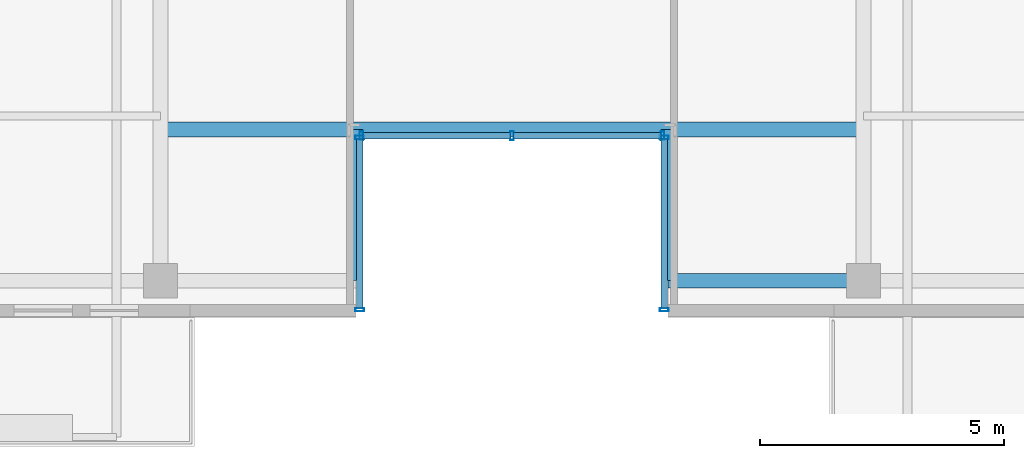
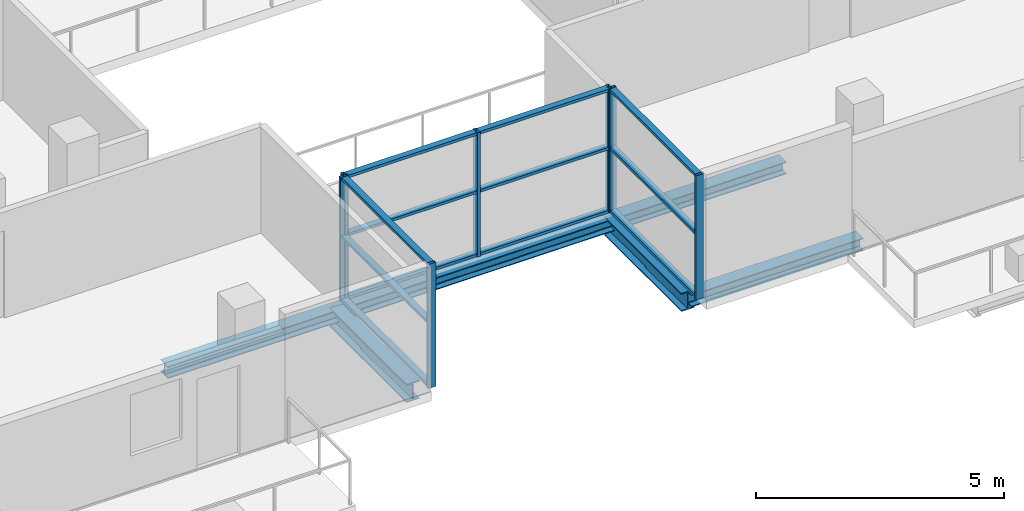
# One storey, part 5 of 22: 19 members, 4 beams, 3 elements without a shape of their own.
"""IFC4 building model written with IfcOpenShell, lengths in metres."""

from ifc_helpers import new_model, si_unit, direction, frame, origin, origin_2d, place, context, subcontext, project, spatial, hollow_rectangle, i_section, extrude, source, transform, mapped, material, layer, layer_set, material_profile, profile_set, type_object, element, aggregate, save


model = new_model("IFC4")

# Units and contexts
model_context = context("Model", 3, precision=1e-05, world=origin(), true_north=direction((0.0, 1.0)))
body_context = subcontext(model_context, "Body", "Model", "MODEL_VIEW")
ifc_project = project(units=[si_unit("LENGTHUNIT", "METRE"), si_unit("AREAUNIT", "SQUARE_METRE"), si_unit("VOLUMEUNIT", "CUBIC_METRE"), si_unit("PLANEANGLEUNIT", "RADIAN"), si_unit("MASSUNIT", "GRAM", prefix="KILO")], contexts=[model_context])

# Site, building, storey
site_placement = place(None, origin())
site = spatial("IfcSite", under=ifc_project, at=site_placement, CompositionType="ELEMENT")
building_placement = place(site_placement, origin())
building = spatial("IfcBuilding", under=site, at=building_placement, Name="Zarnakvel Exchange Tower", CompositionType="ELEMENT")
storey_placement = place(building_placement, frame((0.0, 0.0, 245.199951171875)))
storey = spatial("IfcBuildingStorey", under=building, at=storey_placement, Name="L69", CompositionType="ELEMENT", Elevation=245.199951171875)

# Beams
ifc_material_1 = material(Name="Steel S355", Category="steel")
ifc_material_profile_1 = material_profile(ifc_material_1, i_section(OverallWidth=0.300048828125, OverallDepth=0.449951171875, WebThickness=0.013916015625, FlangeThickness=0.02587890625, FilletRadius=0.027099609375, at=origin_2d()))
ifc_profile_set_1 = profile_set([ifc_material_profile_1], Name="Steel S355")
beam_type_1 = type_object("IfcBeamType", Name="G-07", PredefinedType="BEAM", material=ifc_profile_set_1)
for number, where, z_axis, x_axis, name in (
    (1, (-3.199951171875, -16.35009765625, -0.449951171875), (0.0, 1.0, 0.0), (-1.0, 0.0, 0.0), "L69 South Slot West Cheek Beam"),
    (2, (3.199951171875, -16.35009765625, -0.449951171875), (0.0, 1.0, 0.0), (-1.0, 0.0, 0.0), "L69 South Slot East Cheek Beam"),
):
    element("IfcBeam", number, at=place(storey_placement, frame(where, z_axis=z_axis, x_axis=x_axis)), inside=storey, type_object=beam_type_1, Name=name, PredefinedType="BEAM", context=body_context, shape_type="SweptSolid", body=[
        extrude(i_section(OverallWidth=0.300048828125, OverallDepth=0.449951171875, WebThickness=0.013916015625, FlangeThickness=0.02587890625, FilletRadius=0.027099609375, at=origin_2d()), origin(), (0.0, 0.0, 1.0), 3.10009765625),
    ])
ifc_material_profile_2 = material_profile(ifc_material_1, i_section(OverallWidth=0.300048828125, OverallDepth=0.300048828125, WebThickness=0.010986328125, FlangeThickness=0.01904296875, FilletRadius=0.027099609375, at=origin_2d()))
ifc_profile_set_2 = profile_set([ifc_material_profile_2], Name="Steel S355")
beam_type_2 = type_object("IfcBeamType", Name="SP-03", PredefinedType="SPANDREL", material=ifc_profile_set_2)
beam_1_placement = place(storey_placement, frame((3.199951171875, -16.35009765625, -0.375), z_axis=(1.0, 0.0, 0.0), x_axis=(0.0, 1.0, 0.0)))
element("IfcBeam", 3, at=beam_1_placement, inside=storey, type_object=beam_type_2, Name="L69 South Slot East Jamb Spandrel", PredefinedType="SPANDREL", context=body_context, shape_type="SweptSolid", body=[
    extrude(i_section(OverallWidth=0.300048828125, OverallDepth=0.300048828125, WebThickness=0.010986328125, FlangeThickness=0.01904296875, FilletRadius=0.027099609375, at=origin_2d()), origin(), (0.0, 0.0, 1.0), 4.0),
])
beam_2_placement = place(storey_placement, frame((-7.199951171875, -13.25, -0.375), z_axis=(1.0, 0.0, 0.0), x_axis=(0.0, 1.0, 0.0)))
element("IfcBeam", 4, at=beam_2_placement, inside=storey, type_object=beam_type_2, Name="L69 South Slot Head Trimmer Girder", PredefinedType="SPANDREL", context=body_context, shape_type="SweptSolid", body=[
    extrude(i_section(OverallWidth=0.300048828125, OverallDepth=0.300048828125, WebThickness=0.010986328125, FlangeThickness=0.01904296875, FilletRadius=0.027099609375, at=origin_2d()), origin(), (0.0, 0.0, 1.0), 14.39990234375),
])

# Curtain wall, members
ifc_material_2 = material(Name="Architectural Bronze Anodised Aluminium", Category="aluminium")
ifc_layer = layer(ifc_material_2, 0.179931640625)
ifc_layer_set = layer_set([ifc_layer], Name="Architectural Bronze Anodised Aluminium")
curtain_wall_type = type_object("IfcCurtainWallType", Name="CW-05", PredefinedType="NOTDEFINED", material=ifc_layer_set)
curtain_wall_1_placement = place(storey_placement, origin())
curtain_wall_1 = element("IfcCurtainWall", 5, at=curtain_wall_1_placement, inside=storey, type_object=curtain_wall_type, Name="L69 Curtain Wall CW-L69-SLW (CW-05)", PredefinedType="NOTDEFINED")
ifc_material_profile_3 = material_profile(ifc_material_2, hollow_rectangle(XDim=0.139892578125, YDim=0.070068359375, WallThickness=0.00390625, at=origin_2d()))
ifc_profile_set_3 = profile_set([ifc_material_profile_3], Name="Architectural Bronze Anodised Aluminium")
member_type_1 = type_object("IfcMemberType", Name="CWT-05", PredefinedType="USERDEFINED", material=ifc_profile_set_3)
shared_shape_1 = source(origin(), body_context, "Body", "SweptSolid", [
    extrude(hollow_rectangle(XDim=0.139892578125, YDim=0.070068359375, WallThickness=0.00390625, at=origin_2d()), origin(), (0.0, 0.0, 1.0), 3.4599609375),
])
member_1_placement = place(storey_placement, frame((-3.1201171875, -16.909912109375, 0.03515625), z_axis=(0.0, 1.0, 0.0), x_axis=(-1.0, 0.0, 0.0)))
member_1 = element("IfcMember", 6, at=member_1_placement, type_object=member_type_1, Name="CW-05 transom 1.1", ObjectType="TRANSOM", PredefinedType="USERDEFINED", context=body_context, shape_type="MappedRepresentation", body=[
    mapped(shared_shape_1, transform((0.0, 0.0, 0.0), x_axis=(1.0, 0.0, 0.0), y_axis=(0.0, 1.0, 0.0), z_axis=(0.0, 0.0, 1.0), scale=1.0)),
])
member_2_placement = place(storey_placement, frame((-3.1201171875, -16.909912109375, 1.588623046875), z_axis=(0.0, 1.0, 0.0), x_axis=(-1.0, 0.0, 0.0)))
member_2 = element("IfcMember", 7, at=member_2_placement, type_object=member_type_1, Name="CW-05 transom 1.2", ObjectType="TRANSOM", PredefinedType="USERDEFINED", context=body_context, shape_type="MappedRepresentation", body=[
    mapped(shared_shape_1, transform((0.0, 0.0, 0.0), x_axis=(1.0, 0.0, 0.0), y_axis=(0.0, 1.0, 0.0), z_axis=(0.0, 0.0, 1.0), scale=1.0)),
])
member_3_placement = place(storey_placement, frame((-3.1201171875, -16.909912109375, 3.02001953125), z_axis=(0.0, 1.0, 0.0), x_axis=(-1.0, 0.0, 0.0)))
member_3 = element("IfcMember", 8, at=member_3_placement, type_object=member_type_1, Name="CW-05 transom 1.3", ObjectType="TRANSOM", PredefinedType="USERDEFINED", context=body_context, shape_type="MappedRepresentation", body=[
    mapped(shared_shape_1, transform((0.0, 0.0, 0.0), x_axis=(1.0, 0.0, 0.0), y_axis=(0.0, 1.0, 0.0), z_axis=(0.0, 0.0, 1.0), scale=1.0)),
])

curtain_wall_2_placement = place(storey_placement, origin())
curtain_wall_2 = element("IfcCurtainWall", 9, at=curtain_wall_2_placement, inside=storey, type_object=curtain_wall_type, Name="L69 Curtain Wall CW-L69-SLE (CW-05)", PredefinedType="NOTDEFINED")
member_4_placement = place(storey_placement, frame((3.1201171875, -13.449951171875, 0.03515625), z_axis=(0.0, -1.0, 0.0), x_axis=(1.0, 0.0, 0.0)))
member_4 = element("IfcMember", 10, at=member_4_placement, type_object=member_type_1, Name="CW-05 transom 1.1", ObjectType="TRANSOM", PredefinedType="USERDEFINED", context=body_context, shape_type="MappedRepresentation", body=[
    mapped(shared_shape_1, transform((0.0, 0.0, 0.0), x_axis=(1.0, 0.0, 0.0), y_axis=(0.0, 1.0, 0.0), z_axis=(0.0, 0.0, 1.0), scale=1.0)),
])
member_5_placement = place(storey_placement, frame((3.1201171875, -13.449951171875, 1.588623046875), z_axis=(0.0, -1.0, 0.0), x_axis=(1.0, 0.0, 0.0)))
member_5 = element("IfcMember", 11, at=member_5_placement, type_object=member_type_1, Name="CW-05 transom 1.2", ObjectType="TRANSOM", PredefinedType="USERDEFINED", context=body_context, shape_type="MappedRepresentation", body=[
    mapped(shared_shape_1, transform((0.0, 0.0, 0.0), x_axis=(1.0, 0.0, 0.0), y_axis=(0.0, 1.0, 0.0), z_axis=(0.0, 0.0, 1.0), scale=1.0)),
])
member_6_placement = place(storey_placement, frame((3.1201171875, -13.449951171875, 3.02001953125), z_axis=(0.0, -1.0, 0.0), x_axis=(1.0, 0.0, 0.0)))
member_6 = element("IfcMember", 12, at=member_6_placement, type_object=member_type_1, Name="CW-05 transom 1.3", ObjectType="TRANSOM", PredefinedType="USERDEFINED", context=body_context, shape_type="MappedRepresentation", body=[
    mapped(shared_shape_1, transform((0.0, 0.0, 0.0), x_axis=(1.0, 0.0, 0.0), y_axis=(0.0, 1.0, 0.0), z_axis=(0.0, 0.0, 1.0), scale=1.0)),
])

curtain_wall_3_placement = place(storey_placement, origin())
curtain_wall_3 = element("IfcCurtainWall", 13, at=curtain_wall_3_placement, inside=storey, type_object=curtain_wall_type, Name="L69 Curtain Wall CW-L69-SLB (CW-05)", PredefinedType="NOTDEFINED")
shared_shape_2 = source(origin(), body_context, "Body", "SweptSolid", [
    extrude(hollow_rectangle(XDim=0.139892578125, YDim=0.070068359375, WallThickness=0.00390625, at=origin_2d()), origin(), (0.0, 0.0, 1.0), 3.01513671875),
])
member_7_placement = place(storey_placement, frame((-3.050048828125, -13.3798828125, 0.03515625), z_axis=(1.0, 0.0, 0.0), x_axis=(0.0, 1.0, 0.0)))
member_7 = element("IfcMember", 14, at=member_7_placement, type_object=member_type_1, Name="CW-05 transom 1.1", ObjectType="TRANSOM", PredefinedType="USERDEFINED", context=body_context, shape_type="MappedRepresentation", body=[
    mapped(shared_shape_2, transform((0.0, 0.0, 0.0), x_axis=(1.0, 0.0, 0.0), y_axis=(0.0, 1.0, 0.0), z_axis=(0.0, 0.0, 1.0), scale=1.0)),
])
member_8_placement = place(storey_placement, frame((-3.050048828125, -13.3798828125, 1.588623046875), z_axis=(1.0, 0.0, 0.0), x_axis=(0.0, 1.0, 0.0)))
member_8 = element("IfcMember", 15, at=member_8_placement, type_object=member_type_1, Name="CW-05 transom 1.2", ObjectType="TRANSOM", PredefinedType="USERDEFINED", context=body_context, shape_type="MappedRepresentation", body=[
    mapped(shared_shape_2, transform((0.0, 0.0, 0.0), x_axis=(1.0, 0.0, 0.0), y_axis=(0.0, 1.0, 0.0), z_axis=(0.0, 0.0, 1.0), scale=1.0)),
])
member_9_placement = place(storey_placement, frame((-3.050048828125, -13.3798828125, 3.02001953125), z_axis=(1.0, 0.0, 0.0), x_axis=(0.0, 1.0, 0.0)))
member_9 = element("IfcMember", 16, at=member_9_placement, type_object=member_type_1, Name="CW-05 transom 1.3", ObjectType="TRANSOM", PredefinedType="USERDEFINED", context=body_context, shape_type="MappedRepresentation", body=[
    mapped(shared_shape_2, transform((0.0, 0.0, 0.0), x_axis=(1.0, 0.0, 0.0), y_axis=(0.0, 1.0, 0.0), z_axis=(0.0, 0.0, 1.0), scale=1.0)),
])
member_10_placement = place(storey_placement, frame((0.034912109375, -13.3798828125, 0.03515625), z_axis=(1.0, 0.0, 0.0), x_axis=(0.0, 1.0, 0.0)))
member_10 = element("IfcMember", 17, at=member_10_placement, type_object=member_type_1, Name="CW-05 transom 2.1", ObjectType="TRANSOM", PredefinedType="USERDEFINED", context=body_context, shape_type="MappedRepresentation", body=[
    mapped(shared_shape_2, transform((0.0, 0.0, 0.0), x_axis=(1.0, 0.0, 0.0), y_axis=(0.0, 1.0, 0.0), z_axis=(0.0, 0.0, 1.0), scale=1.0)),
])
member_11_placement = place(storey_placement, frame((0.034912109375, -13.3798828125, 1.588623046875), z_axis=(1.0, 0.0, 0.0), x_axis=(0.0, 1.0, 0.0)))
member_11 = element("IfcMember", 18, at=member_11_placement, type_object=member_type_1, Name="CW-05 transom 2.2", ObjectType="TRANSOM", PredefinedType="USERDEFINED", context=body_context, shape_type="MappedRepresentation", body=[
    mapped(shared_shape_2, transform((0.0, 0.0, 0.0), x_axis=(1.0, 0.0, 0.0), y_axis=(0.0, 1.0, 0.0), z_axis=(0.0, 0.0, 1.0), scale=1.0)),
])
member_12_placement = place(storey_placement, frame((0.034912109375, -13.3798828125, 3.02001953125), z_axis=(1.0, 0.0, 0.0), x_axis=(0.0, 1.0, 0.0)))
member_12 = element("IfcMember", 19, at=member_12_placement, type_object=member_type_1, Name="CW-05 transom 2.3", ObjectType="TRANSOM", PredefinedType="USERDEFINED", context=body_context, shape_type="MappedRepresentation", body=[
    mapped(shared_shape_2, transform((0.0, 0.0, 0.0), x_axis=(1.0, 0.0, 0.0), y_axis=(0.0, 1.0, 0.0), z_axis=(0.0, 0.0, 1.0), scale=1.0)),
])

# Member
ifc_material_profile_4 = material_profile(ifc_material_2, hollow_rectangle(XDim=0.179931640625, YDim=0.070068359375, WallThickness=0.00390625, at=origin_2d()))
ifc_profile_set_4 = profile_set([ifc_material_profile_4], Name="Architectural Bronze Anodised Aluminium")
member_type_2 = type_object("IfcMemberType", Name="CWM-05", PredefinedType="MULLION", material=ifc_profile_set_4)
shared_shape_3 = source(origin(), body_context, "Body", "SweptSolid", [
    extrude(hollow_rectangle(XDim=0.179931640625, YDim=0.070068359375, WallThickness=0.00390625, at=origin_2d()), origin(), (0.0, 0.0, 1.0), 3.054931640625),
])
member_13_placement = place(storey_placement, frame((-3.1201171875, -16.945068359375, 0.0), z_axis=(0.0, 0.0, 1.0), x_axis=(-1.0, 0.0, 0.0)))
member_13 = element("IfcMember", 20, at=member_13_placement, type_object=member_type_2, Name="CW-05 mullion 1", PredefinedType="MULLION", context=body_context, shape_type="MappedRepresentation", body=[
    mapped(shared_shape_3, transform((0.0, 0.0, 0.0), x_axis=(1.0, 0.0, 0.0), y_axis=(0.0, 1.0, 0.0), z_axis=(0.0, 0.0, 1.0), scale=1.0)),
])

member_14_placement = place(storey_placement, frame((-3.1201171875, -13.4150390625, 0.0), z_axis=(0.0, 0.0, 1.0), x_axis=(-1.0, 0.0, 0.0)))
member_14 = element("IfcMember", 21, at=member_14_placement, type_object=member_type_2, Name="CW-05 mullion 2", PredefinedType="MULLION", context=body_context, shape_type="MappedRepresentation", body=[
    mapped(shared_shape_3, transform((0.0, 0.0, 0.0), x_axis=(1.0, 0.0, 0.0), y_axis=(0.0, 1.0, 0.0), z_axis=(0.0, 0.0, 1.0), scale=1.0)),
])

aggregate(curtain_wall_1, [member_13, member_14, member_1, member_2, member_3])

member_15_placement = place(storey_placement, frame((-3.0849609375, -13.3798828125, 0.0), z_axis=(0.0, 0.0, 1.0), x_axis=(0.0, 1.0, 0.0)))
member_15 = element("IfcMember", 22, at=member_15_placement, type_object=member_type_2, Name="CW-05 mullion 1", PredefinedType="MULLION", context=body_context, shape_type="MappedRepresentation", body=[
    mapped(shared_shape_3, transform((0.0, 0.0, 0.0), x_axis=(1.0, 0.0, 0.0), y_axis=(0.0, 1.0, 0.0), z_axis=(0.0, 0.0, 1.0), scale=1.0)),
])

member_16_placement = place(storey_placement, frame((0.0, -13.3798828125, 0.0), z_axis=(0.0, 0.0, 1.0), x_axis=(0.0, 1.0, 0.0)))
member_16 = element("IfcMember", 23, at=member_16_placement, type_object=member_type_2, Name="CW-05 mullion 2", PredefinedType="MULLION", context=body_context, shape_type="MappedRepresentation", body=[
    mapped(shared_shape_3, transform((0.0, 0.0, 0.0), x_axis=(1.0, 0.0, 0.0), y_axis=(0.0, 1.0, 0.0), z_axis=(0.0, 0.0, 1.0), scale=1.0)),
])

member_17_placement = place(storey_placement, frame((3.0849609375, -13.3798828125, 0.0), z_axis=(0.0, 0.0, 1.0), x_axis=(0.0, 1.0, 0.0)))
member_17 = element("IfcMember", 24, at=member_17_placement, type_object=member_type_2, Name="CW-05 mullion 3", PredefinedType="MULLION", context=body_context, shape_type="MappedRepresentation", body=[
    mapped(shared_shape_3, transform((0.0, 0.0, 0.0), x_axis=(1.0, 0.0, 0.0), y_axis=(0.0, 1.0, 0.0), z_axis=(0.0, 0.0, 1.0), scale=1.0)),
])

aggregate(curtain_wall_3, [member_15, member_16, member_17, member_7, member_8, member_9, member_10, member_11, member_12])

member_18_placement = place(storey_placement, frame((3.1201171875, -13.4150390625, 0.0), z_axis=(0.0, 0.0, 1.0), x_axis=(1.0, 0.0, 0.0)))
member_18 = element("IfcMember", 25, at=member_18_placement, type_object=member_type_2, Name="CW-05 mullion 1", PredefinedType="MULLION", context=body_context, shape_type="MappedRepresentation", body=[
    mapped(shared_shape_3, transform((0.0, 0.0, 0.0), x_axis=(1.0, 0.0, 0.0), y_axis=(0.0, 1.0, 0.0), z_axis=(0.0, 0.0, 1.0), scale=1.0)),
])

member_19_placement = place(storey_placement, frame((3.1201171875, -16.945068359375, 0.0), z_axis=(0.0, 0.0, 1.0), x_axis=(1.0, 0.0, 0.0)))
member_19 = element("IfcMember", 26, at=member_19_placement, type_object=member_type_2, Name="CW-05 mullion 2", PredefinedType="MULLION", context=body_context, shape_type="MappedRepresentation", body=[
    mapped(shared_shape_3, transform((0.0, 0.0, 0.0), x_axis=(1.0, 0.0, 0.0), y_axis=(0.0, 1.0, 0.0), z_axis=(0.0, 0.0, 1.0), scale=1.0)),
])

aggregate(curtain_wall_2, [member_18, member_19, member_4, member_5, member_6])

save(model, "model.ifc")
